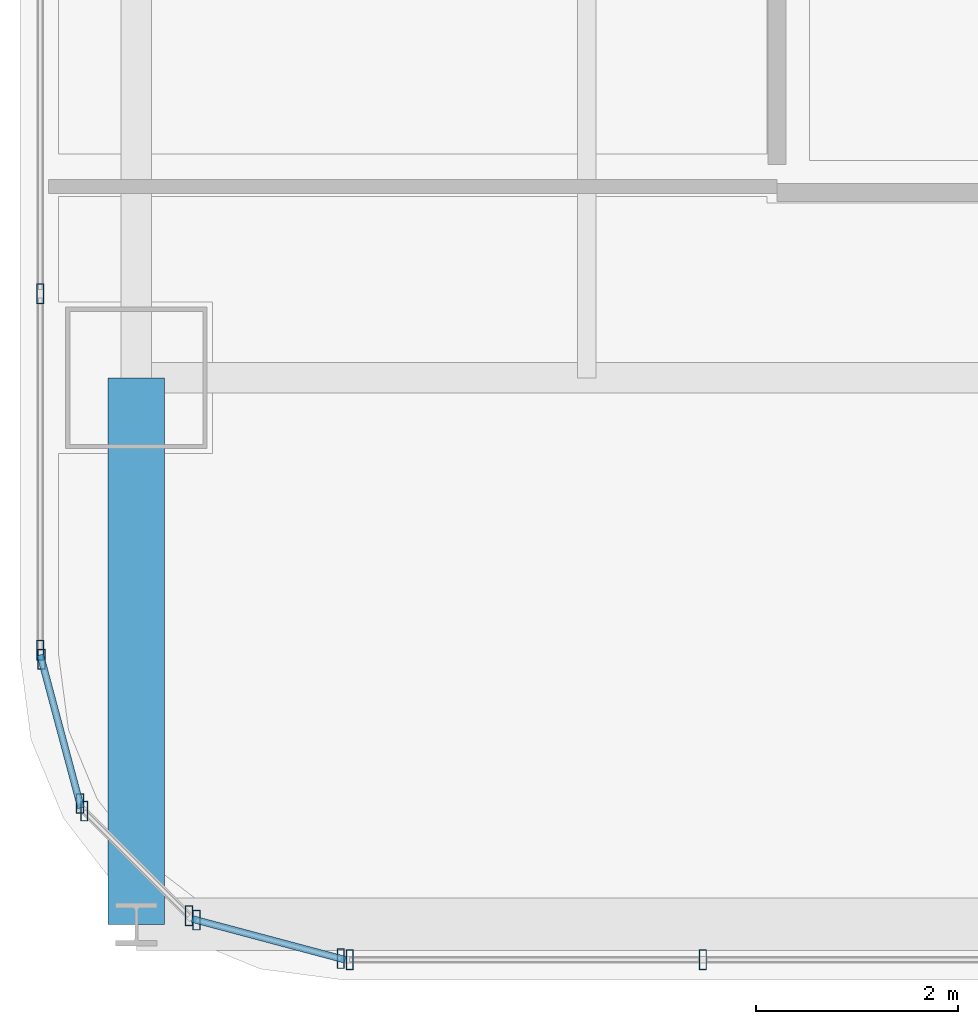
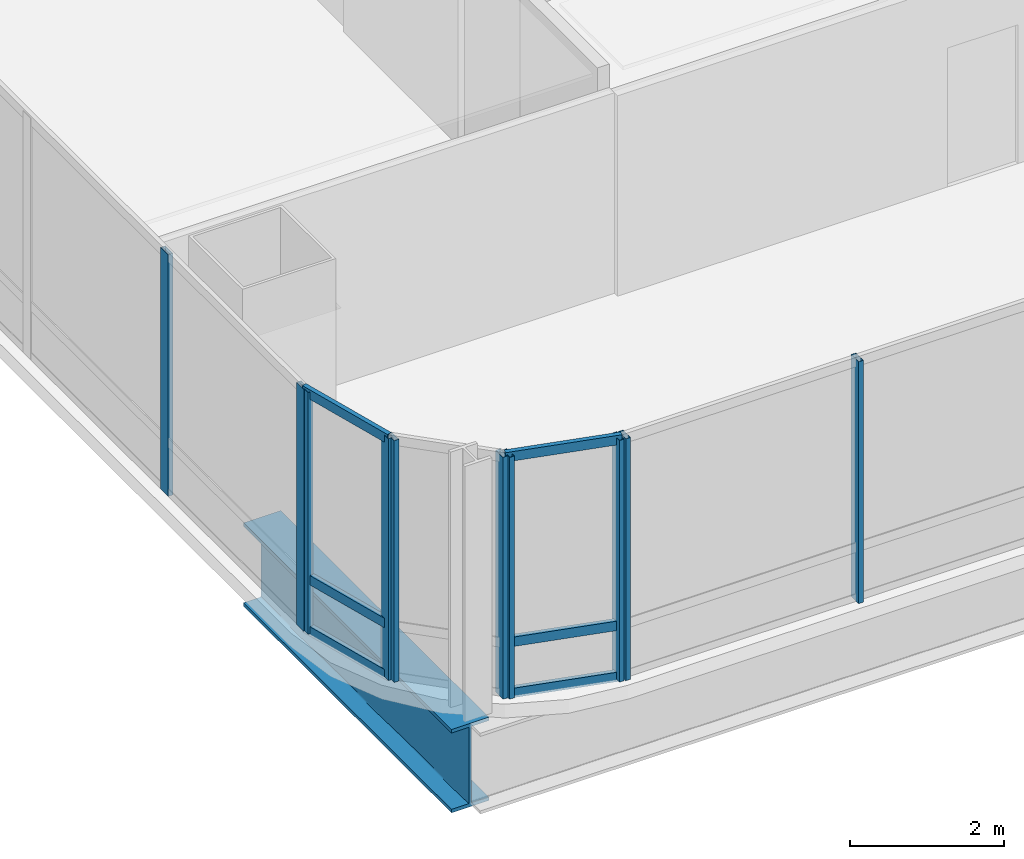
# One storey, part 2 of 36: 16 members, 1 beam, 5 elements without a shape of their own.
"""IFC4 building model written with IfcOpenShell, lengths in metres."""

from ifc_helpers import new_model, si_unit, direction, frame, origin, origin_2d, place, context, subcontext, project, spatial, hollow_rectangle, i_section, extrude, material, material_profile, profile_set, type_object, element, aggregate, save


model = new_model("IFC4")

# Units and contexts
model_context = context("Model", 3, precision=1e-05, world=origin(), true_north=direction((0.0, 1.0)))
body_context = subcontext(model_context, "Body", "Model", "MODEL_VIEW")
ifc_project = project(units=[si_unit("LENGTHUNIT", "METRE"), si_unit("AREAUNIT", "SQUARE_METRE"), si_unit("VOLUMEUNIT", "CUBIC_METRE"), si_unit("PLANEANGLEUNIT", "RADIAN"), si_unit("MASSUNIT", "GRAM", prefix="KILO")], contexts=[model_context])

# Site, building, storey
site_placement = place(None, origin())
site = spatial("IfcSite", under=ifc_project, at=site_placement, CompositionType="ELEMENT")
building_placement = place(site_placement, origin())
building = spatial("IfcBuilding", under=site, at=building_placement, Name="Punatoya Terracotta Tower", CompositionType="ELEMENT")
storey_placement = place(building_placement, frame((0.0, 0.0, 208.64990234375)))
storey = spatial("IfcBuildingStorey", under=building, at=storey_placement, Name="L49", CompositionType="ELEMENT", Elevation=208.64990234375)

# Beam
ifc_material_1 = material(Name="Steel S460", Category="steel")
ifc_material_profile_1 = material_profile(ifc_material_1, i_section(OverallWidth=0.56005859375, OverallDepth=1.320068359375, WebThickness=0.035888671875, FlangeThickness=0.054931640625, FilletRadius=0.01806640625, at=origin_2d()))
ifc_profile_set_1 = profile_set([ifc_material_profile_1], Name="Steel S460")
beam_type = type_object("IfcBeamType", Name="BM-TG-BLK", PredefinedType="BEAM", material=ifc_profile_set_1)
beam_placement = place(storey_placement, frame((-19.10009765625, -22.89990234375, -0.8798828125), z_axis=(0.0, 1.0, 0.0), x_axis=(-1.0, 0.0, 0.0)))
element("IfcBeam", 1, at=beam_placement, inside=storey, type_object=beam_type, Name="BM-L49-CANT-S1", PredefinedType="BEAM", context=body_context, shape_type="SweptSolid", body=[
    extrude(i_section(OverallWidth=0.56005859375, OverallDepth=1.320068359375, WebThickness=0.035888671875, FlangeThickness=0.054931640625, FilletRadius=0.01806640625, at=origin_2d()), origin(), (0.0, 0.0, 1.0), 5.39990234375),
])

# Curtain wall, members
ifc_material_2 = material(Name="Aluminium 6063-T6 + Double Low-E Glass", Category="aluminium")
curtain_wall_type = type_object("IfcCurtainWallType", Name="CW-M2", PredefinedType="NOTDEFINED", material=ifc_material_2)
curtain_wall_1_placement = place(storey_placement, origin())
curtain_wall_1 = element("IfcCurtainWall", 2, at=curtain_wall_1_placement, inside=storey, type_object=curtain_wall_type, Name="L49 Curtain Wall CW-L49-S01-1", PredefinedType="NOTDEFINED")
ifc_material_3 = material(Name="Aluminium 6063-T6", Category="aluminium")
ifc_material_profile_2 = material_profile(ifc_material_3, hollow_rectangle(XDim=0.072021484375, YDim=0.195068359375, WallThickness=0.00439453125, at=origin_2d()))
ifc_profile_set_2 = profile_set([ifc_material_profile_2], Name="Aluminium 6063-T6")
member_type_1 = type_object("IfcMemberType", Name="CW-MUL-M2", PredefinedType="MULLION", material=ifc_profile_set_2)
member_1_placement = place(storey_placement, frame((-16.991943359375, -23.25, 0.0), z_axis=(0.0, 0.0, 1.0), x_axis=(1.0, 0.0, 0.0)))
member_1 = element("IfcMember", 3, at=member_1_placement, type_object=member_type_1, Name="CW-L49-S01-1 Mullion 00", PredefinedType="MULLION", context=body_context, shape_type="SweptSolid", body=[
    extrude(hollow_rectangle(XDim=0.072021484375, YDim=0.195068359375, WallThickness=0.00439453125, at=origin_2d()), origin(), (0.0, 0.0, 1.0), 3.830078125),
])
member_2_placement = place(storey_placement, frame((-13.5029296875, -23.25, 0.0), z_axis=(0.0, 0.0, 1.0), x_axis=(1.0, 0.0, 0.0)))
member_2 = element("IfcMember", 4, at=member_2_placement, type_object=member_type_1, Name="CW-L49-S01-1 Mullion 01", PredefinedType="MULLION", context=body_context, shape_type="SweptSolid", body=[
    extrude(hollow_rectangle(XDim=0.072021484375, YDim=0.195068359375, WallThickness=0.00439453125, at=origin_2d()), origin(), (0.0, 0.0, 1.0), 3.830078125),
])
aggregate(curtain_wall_1, [member_1, member_2])

curtain_wall_2_placement = place(storey_placement, origin())
curtain_wall_2 = element("IfcCurtainWall", 5, at=curtain_wall_2_placement, inside=storey, type_object=curtain_wall_type, Name="L49 Curtain Wall CW-L49-W13-1", PredefinedType="NOTDEFINED")
member_3_placement = place(storey_placement, frame((-20.050048828125, -16.66943359375, 0.0), z_axis=(0.0, 0.0, 1.0), x_axis=(1.0, 0.0, 0.0)))
member_3 = element("IfcMember", 6, at=member_3_placement, type_object=member_type_1, Name="CW-L49-W13-1 Mullion 09", PredefinedType="MULLION", context=body_context, shape_type="SweptSolid", body=[
    extrude(hollow_rectangle(XDim=0.072021484375, YDim=0.195068359375, WallThickness=0.00439453125, at=origin_2d()), origin(), (0.0, 0.0, 1.0), 3.830078125),
])
member_4_placement = place(storey_placement, frame((-20.050048828125, -20.19189453125, 0.0), z_axis=(0.0, 0.0, 1.0), x_axis=(1.0, 0.0, 0.0)))
member_4 = element("IfcMember", 7, at=member_4_placement, type_object=member_type_1, Name="CW-L49-W13-1 Mullion 10", PredefinedType="MULLION", context=body_context, shape_type="SweptSolid", body=[
    extrude(hollow_rectangle(XDim=0.072021484375, YDim=0.195068359375, WallThickness=0.00439453125, at=origin_2d()), origin(), (0.0, 0.0, 1.0), 3.830078125),
])
aggregate(curtain_wall_2, [member_3, member_4])

curtain_wall_3_placement = place(storey_placement, origin())
curtain_wall_3 = element("IfcCurtainWall", 8, at=curtain_wall_3_placement, inside=storey, type_object=curtain_wall_type, Name="L49 Curtain Wall CW-L49-CRN14", PredefinedType="NOTDEFINED")
member_5_placement = place(storey_placement, frame((-20.038330078125, -20.280517578125, 0.0), z_axis=(0.0, 0.0, 1.0), x_axis=(1.0, 0.0, 0.0)))
member_5 = element("IfcMember", 9, at=member_5_placement, type_object=member_type_1, Name="CW-L49-CRN14 Mullion 00", PredefinedType="MULLION", context=body_context, shape_type="SweptSolid", body=[
    extrude(hollow_rectangle(XDim=0.072021484375, YDim=0.195068359375, WallThickness=0.00439453125, at=origin_2d()), origin(), (0.0, 0.0, 1.0), 3.830078125),
])
member_6_placement = place(storey_placement, frame((-19.658203125, -21.70556640625, 0.0), z_axis=(0.0, 0.0, 1.0), x_axis=(1.0, 0.0, 0.0)))
member_6 = element("IfcMember", 10, at=member_6_placement, type_object=member_type_1, Name="CW-L49-CRN14 Mullion 01", PredefinedType="MULLION", context=body_context, shape_type="SweptSolid", body=[
    extrude(hollow_rectangle(XDim=0.072021484375, YDim=0.195068359375, WallThickness=0.00439453125, at=origin_2d()), origin(), (0.0, 0.0, 1.0), 3.830078125),
])

curtain_wall_4_placement = place(storey_placement, origin())
curtain_wall_4 = element("IfcCurtainWall", 11, at=curtain_wall_4_placement, inside=storey, type_object=curtain_wall_type, Name="L49 Curtain Wall CW-L49-CRN15", PredefinedType="NOTDEFINED")
member_7_placement = place(storey_placement, frame((-19.61474609375, -21.781005859375, 0.0), z_axis=(0.0, 0.0, 1.0), x_axis=(1.0, 0.0, 0.0)))
member_7 = element("IfcMember", 12, at=member_7_placement, type_object=member_type_1, Name="CW-L49-CRN15 Mullion 00", PredefinedType="MULLION", context=body_context, shape_type="SweptSolid", body=[
    extrude(hollow_rectangle(XDim=0.072021484375, YDim=0.195068359375, WallThickness=0.00439453125, at=origin_2d()), origin(), (0.0, 0.0, 1.0), 3.830078125),
])
member_8_placement = place(storey_placement, frame((-18.580810546875, -22.814697265625, 0.0), z_axis=(0.0, 0.0, 1.0), x_axis=(1.0, 0.0, 0.0)))
member_8 = element("IfcMember", 13, at=member_8_placement, type_object=member_type_1, Name="CW-L49-CRN15 Mullion 01", PredefinedType="MULLION", context=body_context, shape_type="SweptSolid", body=[
    extrude(hollow_rectangle(XDim=0.072021484375, YDim=0.195068359375, WallThickness=0.00439453125, at=origin_2d()), origin(), (0.0, 0.0, 1.0), 3.830078125),
])
aggregate(curtain_wall_4, [member_7, member_8])

curtain_wall_5_placement = place(storey_placement, origin())
curtain_wall_5 = element("IfcCurtainWall", 14, at=curtain_wall_5_placement, inside=storey, type_object=curtain_wall_type, Name="L49 Curtain Wall CW-L49-CRN16", PredefinedType="NOTDEFINED")
member_9_placement = place(storey_placement, frame((-18.505615234375, -22.858154296875, 0.0), z_axis=(0.0, 0.0, 1.0), x_axis=(1.0, 0.0, 0.0)))
member_9 = element("IfcMember", 15, at=member_9_placement, type_object=member_type_1, Name="CW-L49-CRN16 Mullion 00", PredefinedType="MULLION", context=body_context, shape_type="SweptSolid", body=[
    extrude(hollow_rectangle(XDim=0.072021484375, YDim=0.195068359375, WallThickness=0.00439453125, at=origin_2d()), origin(), (0.0, 0.0, 1.0), 3.830078125),
])
member_10_placement = place(storey_placement, frame((-17.080322265625, -23.23828125, 0.0), z_axis=(0.0, 0.0, 1.0), x_axis=(1.0, 0.0, 0.0)))
member_10 = element("IfcMember", 16, at=member_10_placement, type_object=member_type_1, Name="CW-L49-CRN16 Mullion 01", PredefinedType="MULLION", context=body_context, shape_type="SweptSolid", body=[
    extrude(hollow_rectangle(XDim=0.072021484375, YDim=0.195068359375, WallThickness=0.00439453125, at=origin_2d()), origin(), (0.0, 0.0, 1.0), 3.830078125),
])

# Member
ifc_material_profile_3 = material_profile(ifc_material_3, hollow_rectangle(XDim=0.068115234375, YDim=0.14990234375, WallThickness=0.00390625, at=origin_2d()))
ifc_profile_set_3 = profile_set([ifc_material_profile_3], Name="Aluminium 6063-T6")
member_type_2 = type_object("IfcMemberType", Name="CW-TRN-TYP", PredefinedType="USERDEFINED", material=ifc_profile_set_3)
member_11_placement = place(storey_placement, frame((-20.050048828125, -20.23681640625, 0.0400390625), z_axis=(0.257847112249, -0.966185730957, 0.0), x_axis=(0.966185730957, 0.257847112249, 0.0)))
member_11 = element("IfcMember", 17, at=member_11_placement, type_object=member_type_2, Name="CW-L49-CRN14 Transom 1", ObjectType="TRANSOM", PredefinedType="USERDEFINED", context=body_context, shape_type="SweptSolid", body=[
    extrude(hollow_rectangle(XDim=0.068115234375, YDim=0.14990234375, WallThickness=0.00390625, at=origin_2d()), origin(), (0.0, 0.0, 1.0), 1.565185546875),
])

member_12_placement = place(storey_placement, frame((-20.050048828125, -20.23681640625, 0.85009765625), z_axis=(0.257847112249, -0.966185730957, 0.0), x_axis=(0.966185730957, 0.257847112249, 0.0)))
member_12 = element("IfcMember", 18, at=member_12_placement, type_object=member_type_2, Name="CW-L49-CRN14 Transom 2", ObjectType="TRANSOM", PredefinedType="USERDEFINED", context=body_context, shape_type="SweptSolid", body=[
    extrude(hollow_rectangle(XDim=0.068115234375, YDim=0.14990234375, WallThickness=0.00390625, at=origin_2d()), origin(), (0.0, 0.0, 1.0), 1.565185546875),
])

member_13_placement = place(storey_placement, frame((-20.050048828125, -20.23681640625, 3.7900390625), z_axis=(0.257847112249, -0.966185730957, 0.0), x_axis=(0.966185730957, 0.257847112249, 0.0)))
member_13 = element("IfcMember", 19, at=member_13_placement, type_object=member_type_2, Name="CW-L49-CRN14 Transom 3", ObjectType="TRANSOM", PredefinedType="USERDEFINED", context=body_context, shape_type="SweptSolid", body=[
    extrude(hollow_rectangle(XDim=0.068115234375, YDim=0.14990234375, WallThickness=0.00390625, at=origin_2d()), origin(), (0.0, 0.0, 1.0), 1.565185546875),
])

aggregate(curtain_wall_3, [member_5, member_6, member_11, member_12, member_13])

member_14_placement = place(storey_placement, frame((-18.549072265625, -22.8466796875, 0.0400390625), z_axis=(0.966224582397, -0.257701486942, 0.0), x_axis=(0.257701486942, 0.966224582397, 0.0)))
member_14 = element("IfcMember", 20, at=member_14_placement, type_object=member_type_2, Name="CW-L49-CRN16 Transom 1", ObjectType="TRANSOM", PredefinedType="USERDEFINED", context=body_context, shape_type="SweptSolid", body=[
    extrude(hollow_rectangle(XDim=0.068115234375, YDim=0.14990234375, WallThickness=0.00390625, at=origin_2d()), origin(), (0.0, 0.0, 1.0), 1.565185546875),
])

member_15_placement = place(storey_placement, frame((-18.549072265625, -22.8466796875, 0.85009765625), z_axis=(0.966224582397, -0.257701486942, 0.0), x_axis=(0.257701486942, 0.966224582397, 0.0)))
member_15 = element("IfcMember", 21, at=member_15_placement, type_object=member_type_2, Name="CW-L49-CRN16 Transom 2", ObjectType="TRANSOM", PredefinedType="USERDEFINED", context=body_context, shape_type="SweptSolid", body=[
    extrude(hollow_rectangle(XDim=0.068115234375, YDim=0.14990234375, WallThickness=0.00390625, at=origin_2d()), origin(), (0.0, 0.0, 1.0), 1.565185546875),
])

member_16_placement = place(storey_placement, frame((-18.549072265625, -22.8466796875, 3.7900390625), z_axis=(0.966224582397, -0.257701486942, 0.0), x_axis=(0.257701486942, 0.966224582397, 0.0)))
member_16 = element("IfcMember", 22, at=member_16_placement, type_object=member_type_2, Name="CW-L49-CRN16 Transom 3", ObjectType="TRANSOM", PredefinedType="USERDEFINED", context=body_context, shape_type="SweptSolid", body=[
    extrude(hollow_rectangle(XDim=0.068115234375, YDim=0.14990234375, WallThickness=0.00390625, at=origin_2d()), origin(), (0.0, 0.0, 1.0), 1.565185546875),
])

aggregate(curtain_wall_5, [member_9, member_10, member_14, member_15, member_16])

save(model, "model.ifc")
